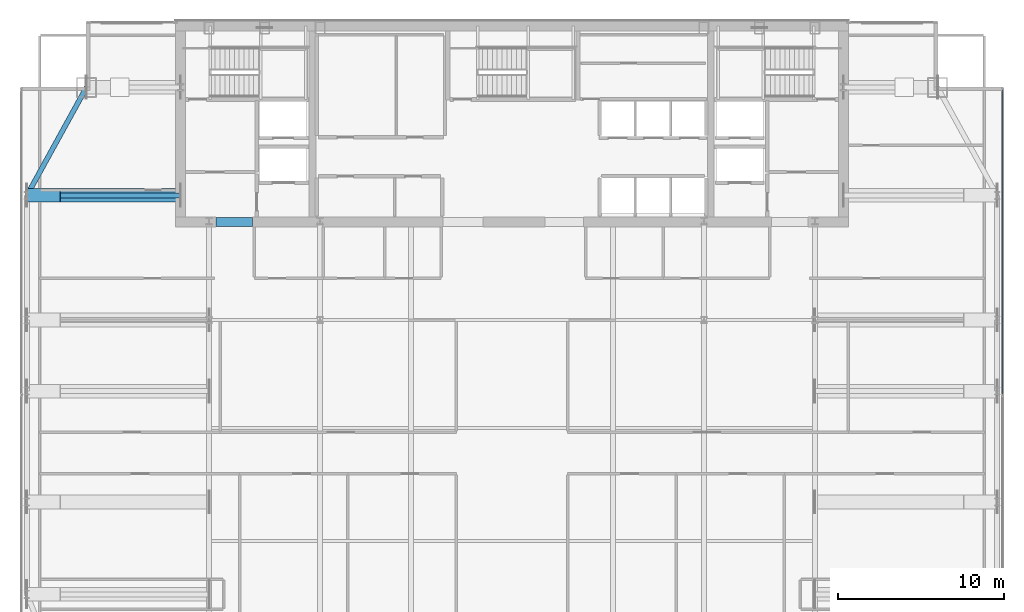
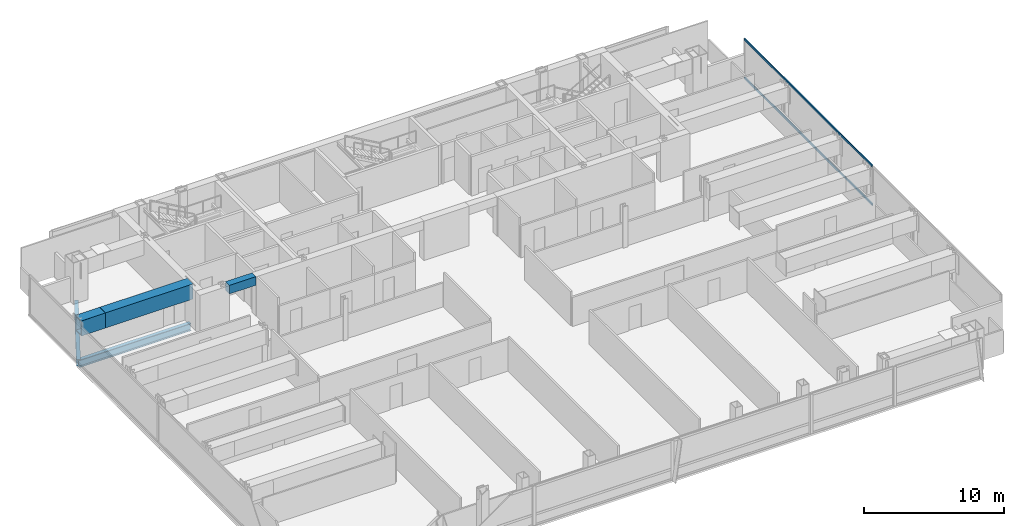
# One storey, part 16 of 26: 5 beams, 2 members, 1 element without a shape of its own.
"""IFC4 building model written with IfcOpenShell, lengths in metres."""

from ifc_helpers import new_model, si_unit, direction, frame, origin, origin_2d, place, context, subcontext, project, spatial, rectangle, hollow_rectangle, i_section, extrude, material, material_profile, profile_set, type_object, element, aggregate, save


model = new_model("IFC4")

# Units and contexts
model_context = context("Model", 3, precision=1e-05, world=origin(), true_north=direction((0.0, 1.0)))
body_context = subcontext(model_context, "Body", "Model", "MODEL_VIEW")
ifc_project = project(units=[si_unit("LENGTHUNIT", "METRE"), si_unit("AREAUNIT", "SQUARE_METRE"), si_unit("VOLUMEUNIT", "CUBIC_METRE"), si_unit("PLANEANGLEUNIT", "RADIAN"), si_unit("MASSUNIT", "GRAM", prefix="KILO")], contexts=[model_context])

# Site, building, storey
site_placement = place(None, origin())
site = spatial("IfcSite", under=ifc_project, at=site_placement, CompositionType="ELEMENT")
building_placement = place(site_placement, origin())
building = spatial("IfcBuilding", under=site, at=building_placement, Name="Khoronbel Lancet Exchange", CompositionType="ELEMENT")
storey_placement = place(building_placement, frame((0.0, 0.0, 235.39990234375)))
storey = spatial("IfcBuildingStorey", under=building, at=storey_placement, Name="L60", CompositionType="ELEMENT", Elevation=235.39990234375)

# Beams
ifc_material_1 = material(Name="Steel S355", Category="steel")
ifc_material_profile_1 = material_profile(ifc_material_1, i_section(OverallWidth=0.300048828125, OverallDepth=0.64990234375, WebThickness=0.01611328125, FlangeThickness=0.031005859375, at=origin_2d()), Name="HEB 650")
ifc_profile_set_1 = profile_set([ifc_material_profile_1], Name="Steel S355")
beam_type_1 = type_object("IfcBeamType", Name="BM-BG4", PredefinedType="BEAM", material=ifc_profile_set_1)
beam_1_placement = place(storey_placement, frame((7.27001953125, 43.199951171875, -0.48486328125), z_axis=(1.0, 0.0, 0.0), x_axis=(0.0, 1.0, 0.0)))
element("IfcBeam", 1, at=beam_1_placement, inside=storey, type_object=beam_type_1, Name="Level L60 west lens tie girder LG3W", PredefinedType="BEAM", context=body_context, shape_type="SweptSolid", body=[
    extrude(i_section(OverallWidth=0.300048828125, OverallDepth=0.64990234375, WebThickness=0.01611328125, FlangeThickness=0.031005859375, at=origin_2d()), origin(), (0.0, 0.0, 1.0), 9.22998046875),
])
ifc_material_2 = material(Name="Concrete C60/75", Category="concrete")
ifc_material_profile_2 = material_profile(ifc_material_2, rectangle(XDim=0.550048828125, YDim=0.75, at=origin_2d()), Name="RC 550x750")
ifc_profile_set_2 = profile_set([ifc_material_profile_2], Name="Concrete C60/75")
beam_type_2 = type_object("IfcBeamType", Name="BM-BL2", PredefinedType="LINTEL", material=ifc_profile_set_2)
beam_2_placement = place(storey_placement, frame((18.64990234375, 41.60009765625, 3.065185546875), z_axis=(1.0, 0.0, 0.0), x_axis=(0.0, 1.0, 0.0)))
element("IfcBeam", 2, at=beam_2_placement, inside=storey, type_object=beam_type_2, Name="Level L60 rear core coupling lintel L1", PredefinedType="LINTEL", context=body_context, shape_type="SweptSolid", body=[
    extrude(rectangle(XDim=0.550048828125, YDim=0.75, at=origin_2d()), origin(), (0.0, 0.0, 1.0), 2.2001953125),
])
ifc_material_profile_3 = material_profile(ifc_material_1, i_section(OverallWidth=0.300048828125, OverallDepth=0.60009765625, WebThickness=0.015380859375, FlangeThickness=0.030029296875, at=origin_2d()), Name="HEB 600")
ifc_profile_set_3 = profile_set([ifc_material_profile_3], Name="Steel S355")
beam_type_3 = type_object("IfcBeamType", Name="BM-BSP2", PredefinedType="SPANDREL", material=ifc_profile_set_3)
beam_3_placement = place(storey_placement, frame((10.85009765625, 49.699951171875, -0.4599609375), z_axis=(-0.482444051088, -0.875926787791, 0.0), x_axis=(0.875926787791, -0.482444051088, 0.0)))
element("IfcBeam", 3, at=beam_3_placement, inside=storey, type_object=beam_type_3, Name="Level L60 perimeter spandrel beam SP16", PredefinedType="SPANDREL", context=body_context, shape_type="SweptSolid", body=[
    extrude(i_section(OverallWidth=0.300048828125, OverallDepth=0.60009765625, WebThickness=0.015380859375, FlangeThickness=0.030029296875, at=origin_2d()), origin(), (0.0, 0.0, 1.0), 7.420654296875),
])
ifc_material_3 = material(Name="Steel S460", Category="steel")
ifc_material_profile_4 = material_profile(ifc_material_3, hollow_rectangle(XDim=0.820068359375, YDim=1.320068359375, WallThickness=0.070068359375, at=origin_2d()), Name="BOX 820x1320x70")
ifc_profile_set_4 = profile_set([ifc_material_profile_4], Name="Steel S460")
beam_type_4 = type_object("IfcBeamType", Name="BM-TG4", PredefinedType="USERDEFINED", material=ifc_profile_set_4)
beam_4_placement = place(storey_placement, frame((7.27001953125, 43.199951171875, 2.760009765625), z_axis=(0.99994990606, 0.0, 0.010009264196), x_axis=(0.0, 1.0, 0.0)))
element("IfcBeam", 4, at=beam_4_placement, inside=storey, type_object=beam_type_4, Name="Setback transfer knee-brace girder L60-WC-4", ObjectType="TRANSFER GIRDER", PredefinedType="USERDEFINED", context=body_context, shape_type="SweptSolid", body=[
    extrude(hollow_rectangle(XDim=0.820068359375, YDim=1.320068359375, WallThickness=0.070068359375, at=origin_2d()), origin(), (0.0, 0.0, 1.0), 2.0),
])
beam_5_placement = place(storey_placement, frame((7.27001953125, 43.199951171875, 2.780029296875), z_axis=(1.0, 0.0, 0.0), x_axis=(0.0, 1.0, 0.0)))
element("IfcBeam", 5, at=beam_5_placement, inside=storey, type_object=beam_type_4, Name="Lens setback S460 transfer girder L60-W5", ObjectType="TRANSFER GIRDER", PredefinedType="USERDEFINED", context=body_context, shape_type="SweptSolid", body=[
    extrude(hollow_rectangle(XDim=0.820068359375, YDim=1.320068359375, WallThickness=0.070068359375, at=origin_2d()), origin(), (0.0, 0.0, 1.0), 9.22998046875),
])

# Curtain wall, members
ifc_material_4 = material(Name="Low-E Solar Control Insulating Glass", Category="glass")
curtain_wall_type = type_object("IfcCurtainWallType", Name="CW-4", PredefinedType="NOTDEFINED", material=ifc_material_4)
curtain_wall_placement = place(storey_placement, origin())
curtain_wall = element("IfcCurtainWall", 6, at=curtain_wall_placement, inside=storey, type_object=curtain_wall_type, Name="Unitised curtain wall CW-L60-E09", PredefinedType="NOTDEFINED")
ifc_material_5 = material(Name="Bronze-Anodised Aluminium 6063-T6", Category="aluminium")
ifc_material_profile_5 = material_profile(ifc_material_5, hollow_rectangle(XDim=0.0849609375, YDim=0.179931640625, WallThickness=0.0048828125, at=origin_2d()), Name="ALU TRANSOM 85x180")
ifc_profile_set_5 = profile_set([ifc_material_profile_5], Name="Bronze-Anodised Aluminium 6063-T6")
member_type = type_object("IfcMemberType", Name="MEM-CWT1", PredefinedType="USERDEFINED", material=ifc_profile_set_5)
member_1_placement = place(storey_placement, frame((65.9599609375, 49.534912109375, 0.04248046875), z_axis=(0.0, -1.0, 0.0), x_axis=(1.0, 0.0, 0.0)))
member_1 = element("IfcMember", 7, at=member_1_placement, type_object=member_type, Name="CW4 transom 1.1", ObjectType="TRANSOM", PredefinedType="USERDEFINED", context=body_context, shape_type="SweptSolid", body=[
    extrude(hollow_rectangle(XDim=0.0849609375, YDim=0.179931640625, WallThickness=0.0048828125, at=origin_2d()), origin(), (0.0, 0.0, 1.0), 18.29736328125),
])
member_2_placement = place(storey_placement, frame((65.9599609375, 49.534912109375, 3.397705078125), z_axis=(0.0, -1.0, 0.0), x_axis=(1.0, 0.0, 0.0)))
member_2 = element("IfcMember", 8, at=member_2_placement, type_object=member_type, Name="CW4 transom 1.2", ObjectType="TRANSOM", PredefinedType="USERDEFINED", context=body_context, shape_type="SweptSolid", body=[
    extrude(hollow_rectangle(XDim=0.0849609375, YDim=0.179931640625, WallThickness=0.0048828125, at=origin_2d()), origin(), (0.0, 0.0, 1.0), 18.29736328125),
])
aggregate(curtain_wall, [member_1, member_2])

save(model, "model.ifc")
